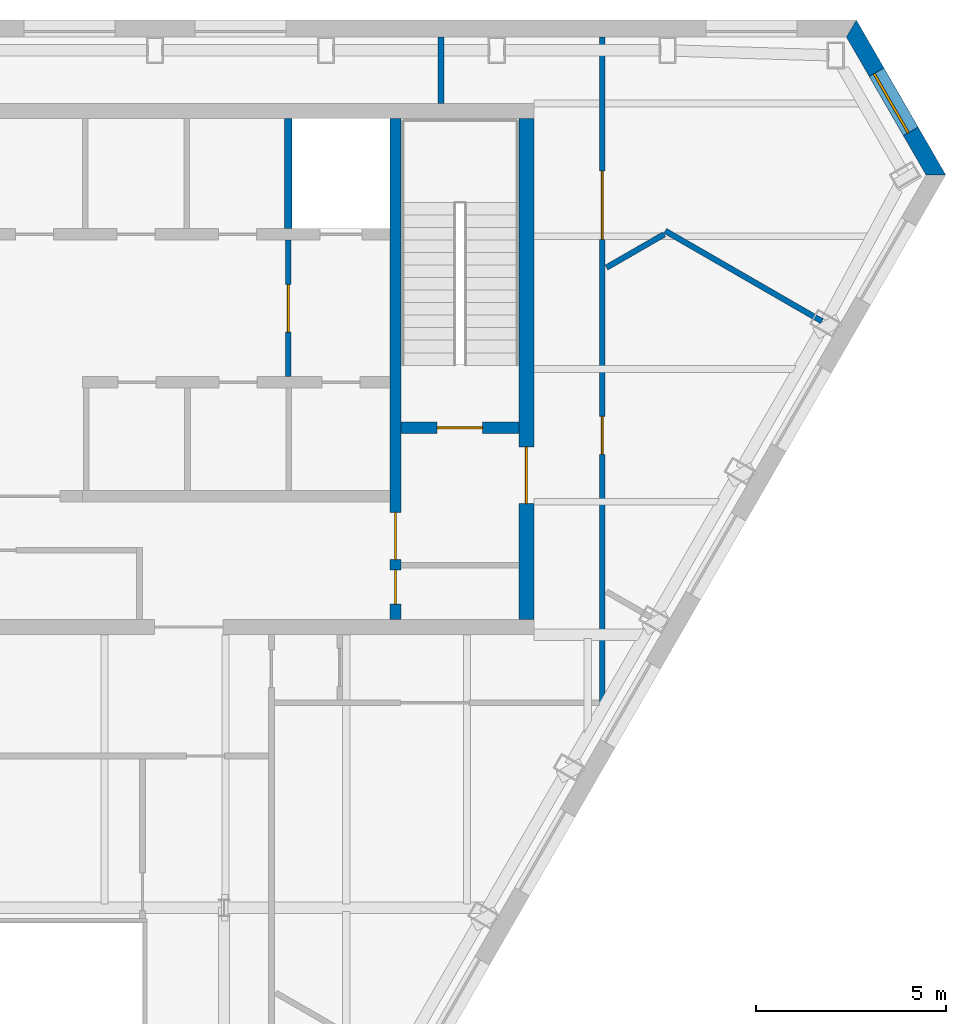
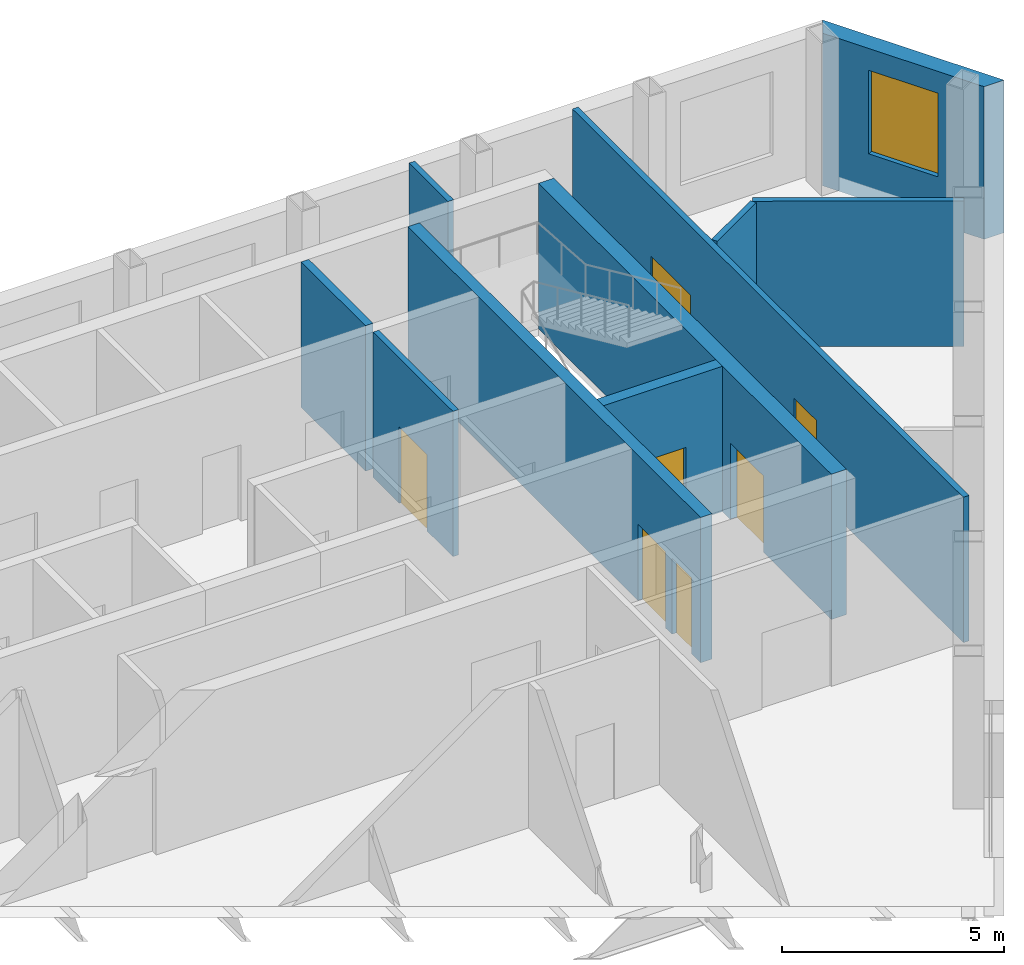
# One storey, part 7 of 10: 10 walls, 7 doors, 1 window, 8 openings.
"""IFC4 building model written with IfcOpenShell, lengths in metres."""

from ifc_helpers import new_model, si_unit, direction, frame, frame_2d, origin, place, context, subcontext, project, spatial, polyline, rectangle, outline, extrude, material, layer, layer_set, type_object, element, fill, save


model = new_model("IFC4")

# Units and contexts
model_context = context("Model", 3, precision=1e-05, world=origin(), true_north=direction((0.0, 1.0)))
body_context = subcontext(model_context, "Body", "Model", "MODEL_VIEW")
ifc_project = project(units=[si_unit("LENGTHUNIT", "METRE"), si_unit("AREAUNIT", "SQUARE_METRE"), si_unit("VOLUMEUNIT", "CUBIC_METRE"), si_unit("PLANEANGLEUNIT", "RADIAN"), si_unit("MASSUNIT", "GRAM", prefix="KILO")], contexts=[model_context])

# Site, building, storey
site_placement = place(None, origin())
site = spatial("IfcSite", under=ifc_project, at=site_placement, CompositionType="ELEMENT")
building_placement = place(site_placement, origin())
building = spatial("IfcBuilding", under=site, at=building_placement, Name="Njiva Tower", CompositionType="ELEMENT")
storey_placement = place(building_placement, frame((0.0, 0.0, 304.2)))
storey = spatial("IfcBuildingStorey", under=building, at=storey_placement, Name="L69", CompositionType="ELEMENT", Elevation=304.2)

# Wall, openings, doors
ifc_material_1 = material(Name="Concrete C40/50", Category="concrete")
ifc_layer_1 = layer(ifc_material_1, 0.3)
ifc_layer_set_1 = layer_set([ifc_layer_1], Name="Concrete C40/50")
wall_type_1 = type_object("IfcWallType", Name="WT10 Stair enclosure wall 300", PredefinedType="SHEAR", material=ifc_layer_set_1)
wall_1_placement = place(storey_placement, frame((10.85, 4.4, 0.0), z_axis=(0.0, 0.0, 1.0), x_axis=(0.0, 1.0, 0.0)))
wall_1 = element("IfcWall", 1, at=wall_1_placement, inside=storey, type_object=wall_type_1, Name="Stair wall east inner", PredefinedType="SHEAR", context=body_context, shape_type="SweptSolid", body=[
    extrude(rectangle(XDim=13.2, YDim=0.3, at=frame_2d((6.6, 0.0))), origin(), (0.0, 0.0, 1.0), 4.0),
])
opening_1_placement = place(wall_1_placement, frame((1.575, 0.0, 0.0)))
opening_1 = element("IfcOpeningElement", 2, at=opening_1_placement, cuts=wall_1, Name="Opening S23-D923", PredefinedType="OPENING", context=body_context, shape_type="SweptSolid", body=[
    extrude(rectangle(XDim=1.25, YDim=2.1, at=frame_2d((0.625, 1.05))), frame((0.0, 0.16, 0.0), z_axis=(0.0, -1.0, 0.0), x_axis=(1.0, 0.0, 0.0)), (0.0, 0.0, 1.0), 0.32),
])
opening_2_placement = place(wall_1_placement, frame((0.4, 0.0, 0.0)))
opening_2 = element("IfcOpeningElement", 3, at=opening_2_placement, cuts=wall_1, Name="Opening S23-D925", PredefinedType="OPENING", context=body_context, shape_type="SweptSolid", body=[
    extrude(rectangle(XDim=0.9, YDim=2.1, at=frame_2d((0.45, 1.05))), frame((0.0, 0.16, 0.0), z_axis=(0.0, -1.0, 0.0), x_axis=(1.0, 0.0, 0.0)), (0.0, 0.0, 1.0), 0.32),
])
ifc_material_2 = material(Name="Steel door, painted", Category="steel")
door_type_1 = type_object("IfcDoorType", Name="D13 Steel door 900x2100", OperationType="SINGLE_SWING_LEFT", PredefinedType="DOOR", material=ifc_material_2)
door_1_placement = place(opening_2_placement, origin())
door_1 = element("IfcDoor", 4, at=door_1_placement, inside=storey, type_object=door_type_1, Name="Quiet room door", OperationType="SINGLE_SWING_LEFT", OverallHeight=2.1, OverallWidth=0.9, PredefinedType="DOOR", context=body_context, shape_type="SweptSolid", body=[
    extrude(rectangle(XDim=0.9, YDim=2.1, at=frame_2d((0.45, 1.05))), frame((0.0, 0.025, 0.0), z_axis=(0.0, -1.0, 0.0), x_axis=(1.0, 0.0, 0.0)), (0.0, 0.0, 1.0), 0.05),
])
fill(opening_2, door_1)
ifc_material_3 = material(Name="Glazed steel fire door", Category="steel")
door_type_2 = type_object("IfcDoorType", Name="D8 Vestibule corridor door 1250x2100 glazed", OperationType="SINGLE_SWING_LEFT", PredefinedType="DOOR", material=ifc_material_3)
door_2_placement = place(opening_1_placement, origin())
door_2 = element("IfcDoor", 5, at=door_2_placement, inside=storey, type_object=door_type_2, Name="Stair vestibule corridor door", OperationType="SINGLE_SWING_RIGHT", OverallHeight=2.1, OverallWidth=1.25, PredefinedType="DOOR", context=body_context, shape_type="SweptSolid", body=[
    extrude(rectangle(XDim=1.25, YDim=2.1, at=frame_2d((0.625, 1.05))), frame((0.0, 0.025, 0.0), z_axis=(0.0, -1.0, 0.0), x_axis=(1.0, 0.0, 0.0)), (0.0, 0.0, 1.0), 0.05),
])
fill(opening_1, door_2)

# Wall, opening, door
wall_2_placement = place(storey_placement, frame((11.0, 9.45, 0.0), z_axis=(0.0, 0.0, 1.0), x_axis=(1.0, 0.0, 0.0)))
wall_2 = element("IfcWall", 6, at=wall_2_placement, inside=storey, type_object=wall_type_1, Name="Stair B south wall", PredefinedType="SHEAR", context=body_context, shape_type="SweptSolid", body=[
    extrude(rectangle(XDim=3.1, YDim=0.3, at=frame_2d((1.55, 0.0))), origin(), (0.0, 0.0, 1.0), 4.0),
])
opening_3_placement = place(wall_2_placement, frame((0.95, 0.0, 0.0)))
opening_3 = element("IfcOpeningElement", 7, at=opening_3_placement, cuts=wall_2, Name="Opening S23-D922", PredefinedType="OPENING", context=body_context, shape_type="SweptSolid", body=[
    extrude(rectangle(XDim=1.2, YDim=2.1, at=frame_2d((0.6, 1.05))), frame((0.0, 0.16, 0.0), z_axis=(0.0, -1.0, 0.0), x_axis=(1.0, 0.0, 0.0)), (0.0, 0.0, 1.0), 0.32),
])
door_type_3 = type_object("IfcDoorType", Name="D7 Stair vestibule door 1200x2100 glazed", OperationType="SINGLE_SWING_LEFT", PredefinedType="DOOR", material=ifc_material_3)
door_3_placement = place(opening_3_placement, origin())
door_3 = element("IfcDoor", 8, at=door_3_placement, inside=storey, type_object=door_type_3, Name="Stair B door", OperationType="SINGLE_SWING_LEFT", OverallHeight=2.1, OverallWidth=1.2, PredefinedType="DOOR", context=body_context, shape_type="SweptSolid", body=[
    extrude(rectangle(XDim=1.2, YDim=2.1, at=frame_2d((0.6, 1.05))), frame((0.0, 0.025, 0.0), z_axis=(0.0, -1.0, 0.0), x_axis=(1.0, 0.0, 0.0)), (0.0, 0.0, 1.0), 0.05),
])
fill(opening_3, door_3)

ifc_material_4 = material(Name="Concrete C60/75", Category="concrete")
ifc_layer_2 = layer(ifc_material_4, 0.4)
ifc_layer_set_2 = layer_set([ifc_layer_2], Name="Concrete C60/75")
wall_type_2 = type_object("IfcWallType", Name="WT11 Core wall 400", PredefinedType="SHEAR", material=ifc_layer_set_2)
wall_3_placement = place(storey_placement, frame((14.3, 4.4, 0.0), z_axis=(0.0, 0.0, 1.0), x_axis=(0.0, 1.0, 0.0)))
wall_3 = element("IfcWall", 9, at=wall_3_placement, inside=storey, type_object=wall_type_2, Name="Core wall east", PredefinedType="SHEAR", context=body_context, shape_type="SweptSolid", body=[
    extrude(rectangle(XDim=13.2, YDim=0.4, at=frame_2d((6.6, 0.0))), origin(), (0.0, 0.0, 1.0), 4.0),
])
opening_4_placement = place(wall_3_placement, frame((3.05, 0.0, 0.0)))
opening_4 = element("IfcOpeningElement", 10, at=opening_4_placement, cuts=wall_3, Name="Opening S23-D924", PredefinedType="OPENING", context=body_context, shape_type="SweptSolid", body=[
    extrude(rectangle(XDim=1.5, YDim=2.1, at=frame_2d((0.75, 1.05))), frame((0.0, 0.21, 0.0), z_axis=(0.0, -1.0, 0.0), x_axis=(1.0, 0.0, 0.0)), (0.0, 0.0, 1.0), 0.42),
])
door_type_4 = type_object("IfcDoorType", Name="D10 Exit door double 1500x2100 glazed", OperationType="DOUBLE_DOOR_SINGLE_SWING", PredefinedType="DOOR", material=ifc_material_3)
door_4_placement = place(opening_4_placement, origin())
door_4 = element("IfcDoor", 11, at=door_4_placement, inside=storey, type_object=door_type_4, Name="Stair B corridor door", OperationType="DOUBLE_DOOR_SINGLE_SWING", OverallHeight=2.1, OverallWidth=1.5, PredefinedType="DOOR", context=body_context, shape_type="SweptSolid", body=[
    extrude(rectangle(XDim=1.5, YDim=2.1, at=frame_2d((0.75, 1.05))), frame((0.0, 0.025, 0.0), z_axis=(0.0, -1.0, 0.0), x_axis=(1.0, 0.0, 0.0)), (0.0, 0.0, 1.0), 0.05),
])
fill(opening_4, door_4)

ifc_material_5 = material(Name="Blockwork", Category="masonry")
ifc_layer_3 = layer(ifc_material_5, 0.15)
ifc_layer_set_3 = layer_set([ifc_layer_3], Name="Blockwork")
wall_type_3 = type_object("IfcWallType", Name="WT2 Lobby partition 150", PredefinedType="PARTITIONING", material=ifc_layer_set_3)
wall_4_placement = place(storey_placement, frame((8.025, 10.8, 0.0), z_axis=(0.0, 0.0, 1.0), x_axis=(0.0, 1.0, 0.0)))
wall_4 = element("IfcWall", 12, at=wall_4_placement, inside=storey, type_object=wall_type_3, Name="Firefighting lobby wall B", PredefinedType="PARTITIONING", context=body_context, shape_type="SweptSolid", body=[
    extrude(rectangle(XDim=3.6, YDim=0.15, at=frame_2d((1.8, 0.0))), origin(), (0.0, 0.0, 1.0), 4.0),
])
opening_5_placement = place(wall_4_placement, frame((1.175, 0.0, 0.0)))
opening_5 = element("IfcOpeningElement", 13, at=opening_5_placement, cuts=wall_4, Name="Opening S23-D921", PredefinedType="OPENING", context=body_context, shape_type="SweptSolid", body=[
    extrude(rectangle(XDim=1.25, YDim=2.1, at=frame_2d((0.625, 1.05))), frame((0.0, 0.085, 0.0), z_axis=(0.0, -1.0, 0.0), x_axis=(1.0, 0.0, 0.0)), (0.0, 0.0, 1.0), 0.17),
])
door_5_placement = place(opening_5_placement, origin())
door_5 = element("IfcDoor", 14, at=door_5_placement, inside=storey, type_object=door_type_2, Name="Stair vestibule corridor door", OperationType="SINGLE_SWING_LEFT", OverallHeight=2.1, OverallWidth=1.25, PredefinedType="DOOR", context=body_context, shape_type="SweptSolid", body=[
    extrude(rectangle(XDim=1.25, YDim=2.1, at=frame_2d((0.625, 1.05))), frame((0.0, 0.025, 0.0), z_axis=(0.0, -1.0, 0.0), x_axis=(1.0, 0.0, 0.0)), (0.0, 0.0, 1.0), 0.05),
])
fill(opening_5, door_5)

# Wall
ifc_material_6 = material(Name="Gypsum board on steel studs", Category="gypsum")
ifc_layer_4 = layer(ifc_material_6, 0.15)
ifc_layer_set_4 = layer_set([ifc_layer_4], Name="Gypsum board on steel studs")
wall_type_4 = type_object("IfcWallType", Name="WT21 Compartment wall 150", PredefinedType="PARTITIONING", material=ifc_layer_set_4)
wall_5_placement = place(storey_placement, frame((12.05, 18.0, 0.0), z_axis=(0.0, 0.0, 1.0), x_axis=(0.0, 1.0, 0.0)))
element("IfcWall", 15, at=wall_5_placement, inside=storey, type_object=wall_type_4, Name="Partition S23-P024", PredefinedType="PARTITIONING", context=body_context, shape_type="SweptSolid", body=[
    extrude(rectangle(XDim=1.75, YDim=0.15, at=frame_2d((0.875, 0.0))), origin(), (0.0, 0.0, 1.0), 4.0),
])

# Wall, openings, doors
wall_6_placement = place(storey_placement, frame((16.3, 2.125, 0.0), z_axis=(0.0, 0.0, 1.0), x_axis=(0.0, 1.0, 0.0)))
wall_6 = element("IfcWall", 16, at=wall_6_placement, inside=storey, type_object=wall_type_4, Name="Partition S23-P025", PredefinedType="PARTITIONING", context=body_context, shape_type="SweptSolid", body=[
    extrude(rectangle(XDim=17.623, YDim=0.15, at=frame_2d((8.8115, 0.0))), origin(), (0.0, 0.0, 1.0), 4.0),
])
opening_6_placement = place(wall_6_placement, frame((6.627, 0.0, 0.0)))
opening_6 = element("IfcOpeningElement", 17, at=opening_6_placement, cuts=wall_6, Name="Opening S23-D015", PredefinedType="OPENING", context=body_context, shape_type="SweptSolid", body=[
    extrude(rectangle(XDim=1.0, YDim=2.1, at=frame_2d((0.5, 1.05))), frame((0.0, 0.085, 0.0), z_axis=(0.0, -1.0, 0.0), x_axis=(1.0, 0.0, 0.0)), (0.0, 0.0, 1.0), 0.17),
])
opening_7_placement = place(wall_6_placement, frame((12.292, 0.0, 0.0)))
opening_7 = element("IfcOpeningElement", 18, at=opening_7_placement, cuts=wall_6, Name="Opening S23-D016", PredefinedType="OPENING", context=body_context, shape_type="SweptSolid", body=[
    extrude(rectangle(XDim=1.8, YDim=2.1, at=frame_2d((0.9, 1.05))), frame((0.0, 0.085, 0.0), z_axis=(0.0, -1.0, 0.0), x_axis=(1.0, 0.0, 0.0)), (0.0, 0.0, 1.0), 0.17),
])
ifc_material_7 = material(Name="Steel fire door set", Category="steel")
door_type_5 = type_object("IfcDoorType", Name="D37 Fire door 1000x2100", OperationType="SINGLE_SWING_LEFT", PredefinedType="DOOR", material=ifc_material_7)
door_6_placement = place(opening_6_placement, origin())
door_6 = element("IfcDoor", 19, at=door_6_placement, inside=storey, type_object=door_type_5, Name="Door S23-D015", OperationType="SINGLE_SWING_LEFT", OverallHeight=2.1, OverallWidth=1.0, PredefinedType="DOOR", context=body_context, shape_type="SweptSolid", body=[
    extrude(rectangle(XDim=1.0, YDim=2.1, at=frame_2d((0.5, 1.05))), frame((0.0, 0.025, 0.0), z_axis=(0.0, -1.0, 0.0), x_axis=(1.0, 0.0, 0.0)), (0.0, 0.0, 1.0), 0.05),
])
fill(opening_6, door_6)
door_type_6 = type_object("IfcDoorType", Name="D38 Fire door 1800x2100", OperationType="DOUBLE_DOOR_SINGLE_SWING", PredefinedType="DOOR", material=ifc_material_7)
door_7_placement = place(opening_7_placement, origin())
door_7 = element("IfcDoor", 20, at=door_7_placement, inside=storey, type_object=door_type_6, Name="Door S23-D016", OperationType="DOUBLE_DOOR_SINGLE_SWING", OverallHeight=2.1, OverallWidth=1.8, PredefinedType="DOOR", context=body_context, shape_type="SweptSolid", body=[
    extrude(rectangle(XDim=1.8, YDim=2.1, at=frame_2d((0.9, 1.05))), frame((0.0, 0.025, 0.0), z_axis=(0.0, -1.0, 0.0), x_axis=(1.0, 0.0, 0.0)), (0.0, 0.0, 1.0), 0.05),
])
fill(opening_7, door_7)

# Walls
wall_7_placement = place(storey_placement, frame((16.412, 13.676, 0.0), z_axis=(0.0, 0.0, 1.0), x_axis=(0.866525711774, 0.499132438171, 0.0)))
element("IfcWall", 21, at=wall_7_placement, inside=storey, type_object=wall_type_4, Name="Partition S23-P026", PredefinedType="PARTITIONING", context=body_context, shape_type="SweptSolid", body=[
    extrude(rectangle(XDim=1.7611, YDim=0.15, at=frame_2d((0.8806, 0.0))), origin(), (0.0, 0.0, 1.0), 4.0),
])
wall_8_placement = place(storey_placement, frame((17.962, 14.643, 0.0), z_axis=(0.0, 0.0, 1.0), x_axis=(0.866248432975, -0.499613502989, 0.0)))
element("IfcWall", 22, at=wall_8_placement, inside=storey, type_object=wall_type_4, Name="Partition S23-P028", PredefinedType="PARTITIONING", context=body_context, shape_type="SweptSolid", body=[
    extrude(rectangle(XDim=4.7677, YDim=0.15, at=frame_2d((2.3838, 0.0))), origin(), (0.0, 0.0, 1.0), 4.0),
])
ifc_layer_5 = layer(ifc_material_1, 0.2)
ifc_layer_set_5 = layer_set([ifc_layer_5], Name="Concrete C40/50")
wall_type_5 = type_object("IfcWallType", Name="WT6 Lift shaft wall 200", PredefinedType="SHEAR", material=ifc_layer_set_5)
wall_9_placement = place(storey_placement, frame((8.025, 14.7, 0.0), z_axis=(0.0, 0.0, 1.0), x_axis=(0.0, 1.0, 0.0)))
element("IfcWall", 23, at=wall_9_placement, inside=storey, type_object=wall_type_5, Name="Shaft wall CN7", PredefinedType="SHEAR", context=body_context, shape_type="SweptSolid", body=[
    extrude(rectangle(XDim=2.9, YDim=0.2, at=frame_2d((1.45, 0.0))), origin(), (0.0, 0.0, 1.0), 4.0),
])

# Wall, opening, window
ifc_material_8 = material(Name="Brick masonry, buff", Category="masonry")
ifc_layer_6 = layer(ifc_material_8, 0.45)
ifc_layer_set_6 = layer_set([ifc_layer_6], Name="Brick masonry, buff")
wall_type_6 = type_object("IfcWallType", Name="WT94 Brick pier and spandrel wall 450, buff", PredefinedType="SOLIDWALL", material=ifc_layer_set_6)
wall_10_placement = place(storey_placement, frame((25.0989, 16.1145, -0.4), z_axis=(0.0, 0.0, 1.0), x_axis=(-0.499994806646, 0.866028402148, 0.0)))
wall_10 = element("IfcWall", 24, at=wall_10_placement, inside=storey, type_object=wall_type_6, Name="Facade wall NE", PredefinedType="SOLIDWALL", context=body_context, shape_type="SweptSolid", body=[
    extrude(outline(polyline([(-0.1299, -0.225), (4.5901, -0.225), (4.3303, 0.225), (0.1299, 0.225), (-0.1299, -0.225)])), origin(), (0.0, 0.0, 1.0), 4.2),
])
opening_8_placement = place(wall_10_placement, frame((1.3301, 0.0, 1.3)))
opening_8 = element("IfcOpeningElement", 25, at=opening_8_placement, cuts=wall_10, Name="Opening S23-W29", PredefinedType="OPENING", context=body_context, shape_type="SweptSolid", body=[
    extrude(rectangle(XDim=1.8, YDim=2.3, at=frame_2d((0.9, 1.15))), frame((0.0, 0.235, 0.0), z_axis=(0.0, -1.0, 0.0), x_axis=(1.0, 0.0, 0.0)), (0.0, 0.0, 1.0), 0.47),
])
ifc_material_9 = material(Name="Clear glazing in aluminium frame", Category="aluminium")
window_type = type_object("IfcWindowType", Name="W95 Deep-set window 1800x2300", PartitioningType="SINGLE_PANEL", PredefinedType="WINDOW", material=ifc_material_9)
window_placement = place(opening_8_placement, origin())
window = element("IfcWindow", 26, at=window_placement, inside=storey, type_object=window_type, Name="Window", OverallHeight=2.3, OverallWidth=1.8, PartitioningType="SINGLE_PANEL", PredefinedType="WINDOW", context=body_context, shape_type="SweptSolid", body=[
    extrude(rectangle(XDim=1.8, YDim=2.3, at=frame_2d((0.9, 1.15))), frame((0.0, 0.105, 0.0), z_axis=(0.0, -1.0, 0.0), x_axis=(1.0, 0.0, 0.0)), (0.0, 0.0, 1.0), 0.06),
])
fill(opening_8, window)

save(model, "model.ifc")
